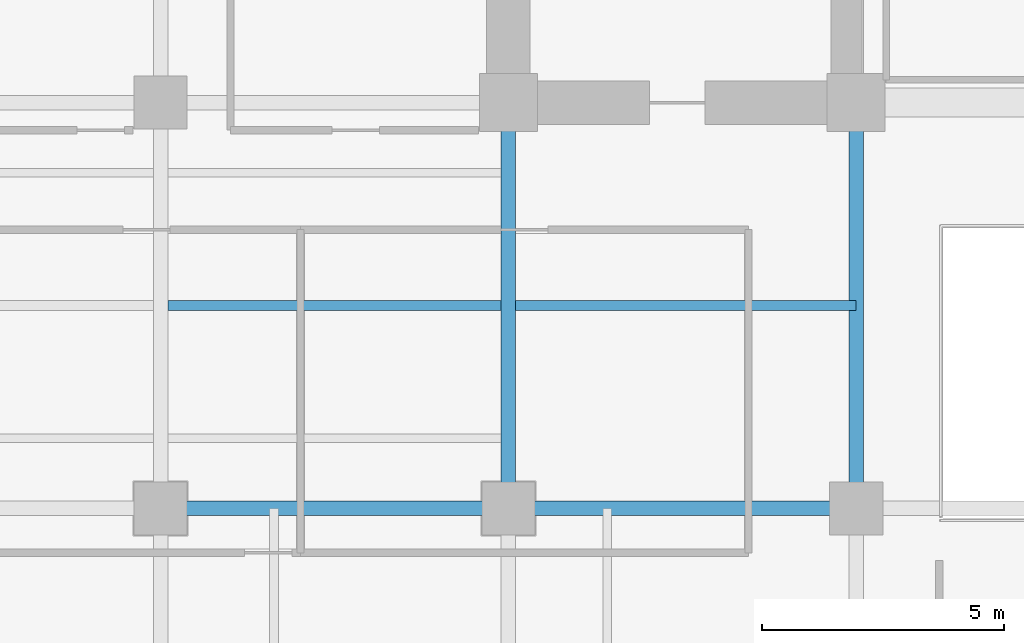
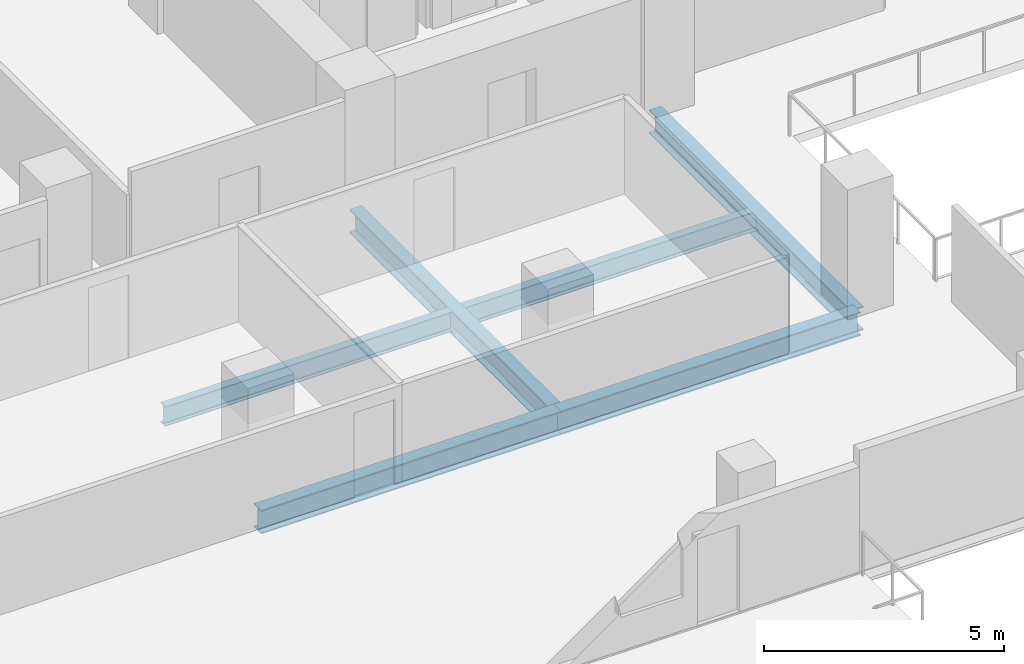
# One storey, part 4 of 30: 6 beams.
"""IFC4 building model written with IfcOpenShell, lengths in metres."""

from ifc_helpers import new_model, si_unit, direction, frame, origin, origin_2d, place, context, subcontext, project, spatial, i_section, extrude, material, material_profile, profile_set, type_object, element, save


model = new_model("IFC4")

# Units and contexts
model_context = context("Model", 3, precision=1e-05, world=origin(), true_north=direction((0.0, 1.0)))
body_context = subcontext(model_context, "Body", "Model", "MODEL_VIEW")
ifc_project = project(units=[si_unit("LENGTHUNIT", "METRE"), si_unit("AREAUNIT", "SQUARE_METRE"), si_unit("VOLUMEUNIT", "CUBIC_METRE"), si_unit("PLANEANGLEUNIT", "RADIAN"), si_unit("MASSUNIT", "GRAM", prefix="KILO")], contexts=[model_context])

# Site, building, storey
site_placement = place(None, origin())
site = spatial("IfcSite", under=ifc_project, at=site_placement, CompositionType="ELEMENT")
building_placement = place(site_placement, origin())
building = spatial("IfcBuilding", under=site, at=building_placement, Name="Zarnakvel Exchange Tower", CompositionType="ELEMENT")
storey_placement = place(building_placement, frame((0.0, 0.0, 34.0)))
storey = spatial("IfcBuildingStorey", under=building, at=storey_placement, Name="L08", CompositionType="ELEMENT", Elevation=34.0)

# Beams
ifc_material = material(Name="Steel S355", Category="steel")
ifc_material_profile_1 = material_profile(ifc_material, i_section(OverallWidth=0.199951171875, OverallDepth=0.5, WebThickness=0.01025390625, FlangeThickness=0.01611328125, FilletRadius=0.02099609375, at=origin_2d()))
ifc_profile_set_1 = profile_set([ifc_material_profile_1], Name="Steel S355")
beam_type_1 = type_object("IfcBeamType", Name="B-04", PredefinedType="JOIST", material=ifc_profile_set_1)
beam_1_placement = place(storey_placement, frame((-21.449951171875, -5.39990234375, -0.47509765625), z_axis=(1.0, 0.0, 0.0), x_axis=(0.0, 1.0, 0.0)))
element("IfcBeam", 1, at=beam_1_placement, inside=storey, type_object=beam_type_1, Name="L08 Composite Floor Secondary Joist", PredefinedType="JOIST", context=body_context, shape_type="SweptSolid", body=[
    extrude(i_section(OverallWidth=0.199951171875, OverallDepth=0.5, WebThickness=0.01025390625, FlangeThickness=0.01611328125, FilletRadius=0.02099609375, at=origin_2d()), origin(), (0.0, 0.0, 1.0), 6.89990234375),
])
beam_2_placement = place(storey_placement, frame((-14.25, -5.39990234375, -0.47509765625), z_axis=(1.0, 0.0, 0.0), x_axis=(0.0, 1.0, 0.0)))
element("IfcBeam", 2, at=beam_2_placement, inside=storey, type_object=beam_type_1, Name="L08 Composite Floor Secondary Joist", PredefinedType="JOIST", context=body_context, shape_type="SweptSolid", body=[
    extrude(i_section(OverallWidth=0.199951171875, OverallDepth=0.5, WebThickness=0.01025390625, FlangeThickness=0.01611328125, FilletRadius=0.02099609375, at=origin_2d()), origin(), (0.0, 0.0, 1.0), 7.050048828125),
])
ifc_material_profile_2 = material_profile(ifc_material, i_section(OverallWidth=0.300048828125, OverallDepth=0.60009765625, WebThickness=0.015380859375, FlangeThickness=0.030029296875, FilletRadius=0.027099609375, at=origin_2d()))
ifc_profile_set_2 = profile_set([ifc_material_profile_2], Name="Steel S355")
beam_type_2 = type_object("IfcBeamType", Name="G-04", PredefinedType="BEAM", material=ifc_profile_set_2)
beam_3_placement = place(storey_placement, frame((-21.60009765625, -9.60009765625, -0.52490234375), z_axis=(1.0, 0.0, 0.0), x_axis=(0.0, 1.0, 0.0)))
element("IfcBeam", 3, at=beam_3_placement, inside=storey, type_object=beam_type_2, Name="L08 Tower E-W Frame Beam", PredefinedType="BEAM", context=body_context, shape_type="SweptSolid", body=[
    extrude(i_section(OverallWidth=0.300048828125, OverallDepth=0.60009765625, WebThickness=0.015380859375, FlangeThickness=0.030029296875, FilletRadius=0.027099609375, at=origin_2d()), origin(), (0.0, 0.0, 1.0), 7.2001953125),
])
beam_4_placement = place(storey_placement, frame((-14.39990234375, -9.60009765625, -0.52490234375), z_axis=(1.0, 0.0, 0.0), x_axis=(0.0, 1.0, 0.0)))
element("IfcBeam", 4, at=beam_4_placement, inside=storey, type_object=beam_type_2, Name="L08 Tower E-W Frame Beam", PredefinedType="BEAM", context=body_context, shape_type="SweptSolid", body=[
    extrude(i_section(OverallWidth=0.300048828125, OverallDepth=0.60009765625, WebThickness=0.015380859375, FlangeThickness=0.030029296875, FilletRadius=0.027099609375, at=origin_2d()), origin(), (0.0, 0.0, 1.0), 7.199951171875),
])
for number, where, z_axis, x_axis, name in (
    (5, (-14.39990234375, -9.60009765625, -0.52490234375), (0.0, 1.0, 0.0), (-1.0, 0.0, 0.0), "L08 Tower N-S Frame Beam"),
    (6, (-7.199951171875, -9.60009765625, -0.52490234375), (0.0, 1.0, 0.0), (-1.0, 0.0, 0.0), "L08 Tower N-S Frame Beam"),
):
    element("IfcBeam", number, at=place(storey_placement, frame(where, z_axis=z_axis, x_axis=x_axis)), inside=storey, type_object=beam_type_2, Name=name, PredefinedType="BEAM", context=body_context, shape_type="SweptSolid", body=[
        extrude(i_section(OverallWidth=0.300048828125, OverallDepth=0.60009765625, WebThickness=0.015380859375, FlangeThickness=0.030029296875, FilletRadius=0.027099609375, at=origin_2d()), origin(), (0.0, 0.0, 1.0), 8.400146484375),
    ])

save(model, "model.ifc")
